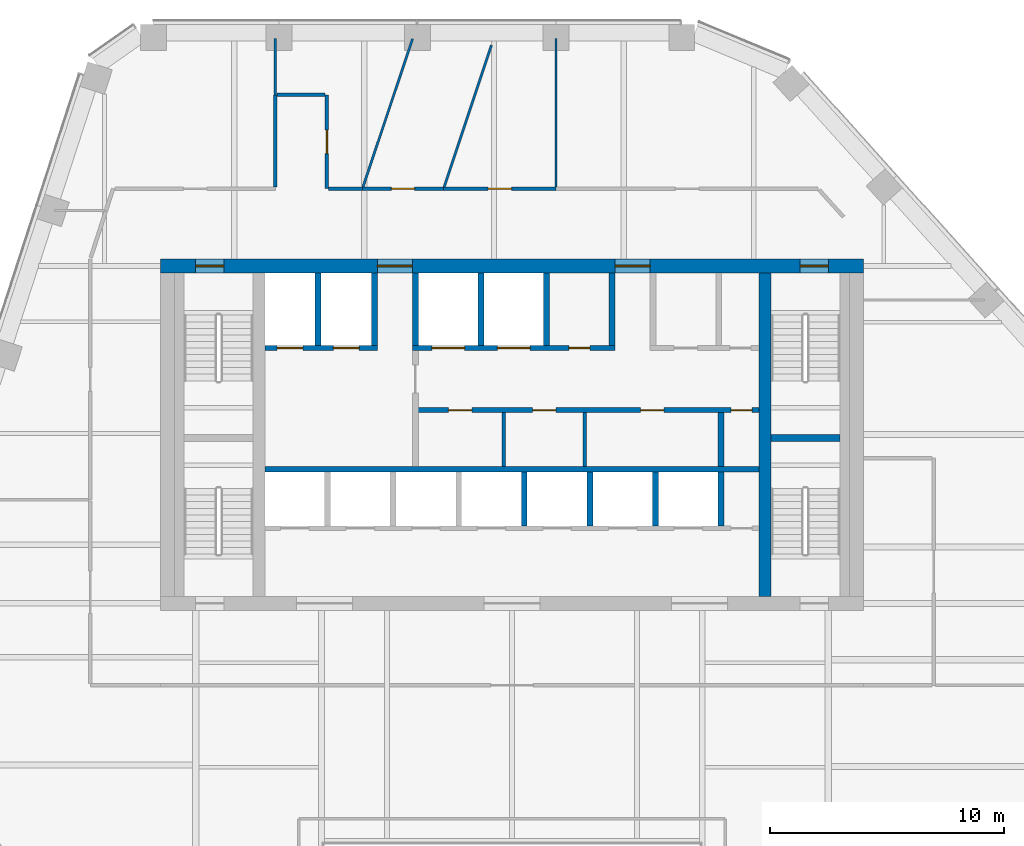
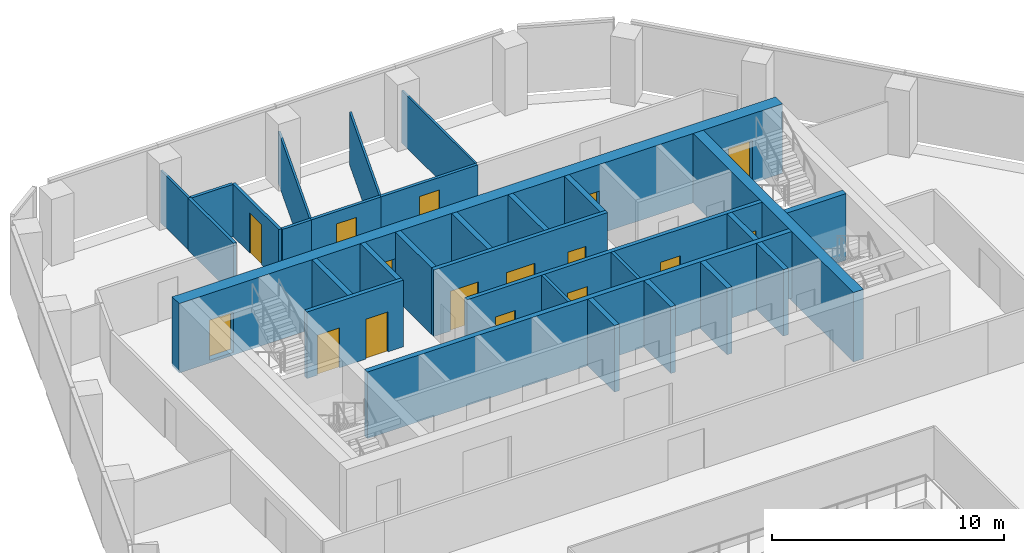
# One storey, part 10 of 15: 30 walls, 16 doors, 16 openings.
"""IFC4 building model written with IfcOpenShell, lengths in metres."""

import ifcopenshell
import ifcopenshell.guid

model = None  # the IFC model being written
_history = None  # IfcOwnerHistory: only IFC2X3 demands one
_inside = {}  # id of a spatial element -> (the spatial element, [elements in it])
_under = {}  # id of a project, library or spatial element -> (it, [spatial elements below it])
_declared = {}  # id of a project -> (the project, [libraries it declares])
_typed = {}  # id of a type object -> (the type object, [elements of that type])
_made_of = {}  # id of a material, layer set ... -> (it, [elements and type objects made of it])


def new_model(schema):
    """Start an empty IFC model of exactly this schema.

    Asked for "IFC4X3", IfcOpenShell would pick the latest addendum, in which some entities
    have other attributes; the version numbers below select the first issue.
    IFC2X3 requires an IfcOwnerHistory on every rooted entity: one is made here for all.
    """
    global model, _history
    if schema == "IFC4X3":
        model = ifcopenshell.file(schema_version=(4, 3, 0, 0))
    else:
        model = ifcopenshell.file(schema=schema)
    _inside.clear()
    _under.clear()
    _declared.clear()
    _typed.clear()
    _made_of.clear()
    _history = None
    if model.schema == "IFC2X3":
        org = make("IfcOrganization", Name="unknown")
        user = make(
            "IfcPersonAndOrganization",
            ThePerson=make("IfcPerson", FamilyName="unknown"),
            TheOrganization=org,
        )
        app = make(
            "IfcApplication",
            ApplicationDeveloper=org,
            Version="unknown",
            ApplicationFullName="unknown",
            ApplicationIdentifier="unknown",
        )
        _history = make(
            "IfcOwnerHistory",
            OwningUser=user,
            OwningApplication=app,
            ChangeAction="ADDED",
            CreationDate=0,
        )
    return model


def make(cls, **values):
    """One entity of the class cls with the attributes given. An attribute that is None is left unset."""
    return model.create_entity(
        cls, **{name: value for name, value in values.items() if value is not None}
    )


def rooted(cls, **values):
    """An entity with a GlobalId (a new one), such as an element, a storey or a relation."""
    return make(cls, GlobalId=ifcopenshell.guid.new(), OwnerHistory=_history, **values)


def si_unit(unit_type, name, prefix=None):
    """IfcSIUnit, for example si_unit("LENGTHUNIT", "METRE", prefix="MILLI")."""
    return make("IfcSIUnit", UnitType=unit_type, Prefix=prefix, Name=name)


def assignment(units):
    """IfcUnitAssignment: the units of a project."""
    return None if units is None else make("IfcUnitAssignment", Units=units)


def point(xyz):
    """IfcCartesianPoint."""
    return None if xyz is None else make("IfcCartesianPoint", Coordinates=xyz)


def direction(xyz):
    """IfcDirection."""
    return None if xyz is None else make("IfcDirection", DirectionRatios=xyz)


def frame(location, z_axis=None, x_axis=None):
    """IfcAxis2Placement3D, a coordinate frame: its origin and axes. An axis left out is left unset."""
    return make(
        "IfcAxis2Placement3D",
        Location=point(location),
        Axis=direction(z_axis),
        RefDirection=direction(x_axis),
    )


def frame_2d(location, x_axis=None):
    """IfcAxis2Placement2D, a coordinate frame in the plane: its origin and x axis."""
    return make(
        "IfcAxis2Placement2D", Location=point(location), RefDirection=direction(x_axis)
    )


def origin():
    """The frame at (0, 0, 0) with its axes left unset."""
    return frame((0.0, 0.0, 0.0))


def place(relative_to, where):
    """IfcLocalPlacement: puts the frame where relative to a parent placement (None: the world)."""
    return make(
        "IfcLocalPlacement", PlacementRelTo=relative_to, RelativePlacement=where
    )


def context(
    kind, dimensions, precision=None, world=None, true_north=None, identifier=None
):
    """IfcGeometricRepresentationContext, for example the 3D "Model" context."""
    return make(
        "IfcGeometricRepresentationContext",
        ContextIdentifier=identifier,
        ContextType=kind,
        CoordinateSpaceDimension=dimensions,
        Precision=precision,
        WorldCoordinateSystem=world,
        TrueNorth=true_north,
    )


def subcontext(parent, identifier, kind, view, scale=None):
    """IfcGeometricRepresentationSubContext, for example "Body" below "Model"."""
    return make(
        "IfcGeometricRepresentationSubContext",
        ContextIdentifier=identifier,
        ContextType=kind,
        ParentContext=parent,
        TargetScale=scale,
        TargetView=view,
    )


def project(units=None, contexts=None):
    """IfcProject with its units and contexts."""
    return rooted(
        "IfcProject",
        Name="project",
        RepresentationContexts=contexts,
        UnitsInContext=assignment(units),
    )


def spatial(cls, under=None, at=None, **own):
    """A site, building, storey or space (cls), placed at a placement, below another one or the project."""
    s = rooted(cls, ObjectPlacement=at, **own)
    if under is not None:
        _under.setdefault(under.id(), (under, []))[1].append(s)
    return s


def profile(cls, at=None, kind="AREA", **sizes):
    """A parametric profile (cls). Its sizes go by their IFC names, for example OverallWidth=200.0."""
    return make(cls, ProfileType=kind, Position=at, **sizes)


def rectangle(**sizes):
    """IfcRectangleProfileDef."""
    return profile("IfcRectangleProfileDef", **sizes)


def extrude(swept, where, along, depth):
    """IfcExtrudedAreaSolid: the profile swept, set in the frame where, extruded along a direction by depth."""
    return make(
        "IfcExtrudedAreaSolid",
        SweptArea=swept,
        Position=where,
        ExtrudedDirection=direction(along),
        Depth=depth,
    )


def shape(context_of_items, identifier, shape_type, items):
    """IfcShapeRepresentation: the items that make up one representation, for example the "Body"."""
    return make(
        "IfcShapeRepresentation",
        ContextOfItems=context_of_items,
        RepresentationIdentifier=identifier,
        RepresentationType=shape_type,
        Items=items,
    )


def material(Name=None, Category=None):
    """IfcMaterial."""
    return make("IfcMaterial", Name=Name, Category=Category)


def layer(
    of_material, thickness, ventilated=None, Name=None, Category=None, Priority=None
):
    """IfcMaterialLayer: one layer of a wall or slab, of a material (None: an air gap)."""
    return make(
        "IfcMaterialLayer",
        Material=of_material,
        LayerThickness=thickness,
        IsVentilated=ventilated,
        Name=Name,
        Category=Category,
        Priority=Priority,
    )


def layer_set(layers, Name=None):
    """IfcMaterialLayerSet."""
    return make("IfcMaterialLayerSet", MaterialLayers=layers, LayerSetName=Name)


def made_of(thing, what):
    """Note that an element or type object is made of a material, layer set ...; save() writes the relation."""
    if what is not None:
        _made_of.setdefault(what.id(), (what, []))[1].append(thing)
    return thing


def type_object(cls, material=None, **own):
    """A type object (cls), such as IfcWallType, which elements share."""
    return made_of(rooted(cls, **own), material)


def element(
    cls,
    number,
    at=None,
    inside=None,
    cuts=None,
    type_object=None,
    material=None,
    context=None,
    identifier="Body",
    shape_type=None,
    held_by="IfcProductDefinitionShape",
    body=None,
    shapes=None,
    **own,
):
    """One element of the class cls, such as IfcWall. Its Tag is "e" and its number.

    at: its placement. inside: the storey or other place that contains it. cuts: it is an
    opening in that element (IfcRelVoidsElement). A single representation is given by context,
    identifier, shape_type and body (its items); several are given by shapes. held_by: the class
    of the entity that holds the representations. save() writes the other relations.
    """
    e = rooted(cls, Tag="e%d" % number, ObjectPlacement=at, **own)
    if body is not None:
        shapes = [shape(context, identifier, shape_type, body)]
    if shapes is not None:
        e.Representation = make(held_by, Representations=shapes)
    if inside is not None:
        _inside.setdefault(inside.id(), (inside, []))[1].append(e)
    if cuts is not None:
        rooted(
            "IfcRelVoidsElement", RelatingBuildingElement=cuts, RelatedOpeningElement=e
        )
    if type_object is not None:
        _typed.setdefault(type_object.id(), (type_object, []))[1].append(e)
    return made_of(e, material)


def fill(opening, filler):
    """IfcRelFillsElement: the door or window that sits in an opening."""
    return rooted(
        "IfcRelFillsElement",
        RelatingOpeningElement=opening,
        RelatedBuildingElement=filler,
    )


def aggregate(whole, parts):
    """IfcRelAggregates: a whole, such as a stair, and the parts it consists of."""
    return rooted("IfcRelAggregates", RelatingObject=whole, RelatedObjects=parts)


def save(model, path):
    """Write the relations noted so far, then the file.

    IfcRelAggregates (storeys below a building ...), IfcRelContainedInSpatialStructure (elements
    in a storey), IfcRelDefinesByType, IfcRelAssociatesMaterial and IfcRelDeclares: one each for
    every whole, place, type object, material and project.
    """
    for whole, parts in _under.values():
        aggregate(whole, parts)
    for where, things in _inside.values():
        rooted(
            "IfcRelContainedInSpatialStructure",
            RelatedElements=things,
            RelatingStructure=where,
        )
    for kind, things in _typed.values():
        rooted("IfcRelDefinesByType", RelatedObjects=things, RelatingType=kind)
    for what, things in _made_of.values():
        rooted("IfcRelAssociatesMaterial", RelatedObjects=things, RelatingMaterial=what)
    for by, libraries in _declared.values():
        rooted("IfcRelDeclares", RelatingContext=by, RelatedDefinitions=libraries)
    model.write(path)


model = new_model("IFC4")

# Units and contexts
model_context = context("Model", 3, precision=1e-05, world=origin(), true_north=direction((0.0, 1.0)))
body_context = subcontext(model_context, "Body", "Model", "MODEL_VIEW")
ifc_project = project(units=[si_unit("LENGTHUNIT", "METRE"), si_unit("AREAUNIT", "SQUARE_METRE"), si_unit("VOLUMEUNIT", "CUBIC_METRE"), si_unit("PLANEANGLEUNIT", "RADIAN"), si_unit("MASSUNIT", "GRAM", prefix="KILO")], contexts=[model_context])

# Site, building, storey
site_placement = place(None, origin())
site = spatial("IfcSite", under=ifc_project, at=site_placement, CompositionType="ELEMENT")
building_placement = place(site_placement, origin())
building = spatial("IfcBuilding", under=site, at=building_placement, Name="Isthmus Gate Tower", CompositionType="ELEMENT")
storey_placement = place(building_placement, frame((0.0, 0.0, 223.60009765625)))
storey = spatial("IfcBuildingStorey", under=building, at=storey_placement, Name="L56", CompositionType="ELEMENT", Elevation=223.60009765625)

# Wall, opening, door
ifc_material_1 = material(Name="Gypsum board on steel studs, fire-rated", Category="steel")
ifc_layer_1 = layer(ifc_material_1, 0.14990234375)
ifc_layer_set_1 = layer_set([ifc_layer_1], Name="CORRIDOR WALL 150 60 MIN")
wall_type_1 = type_object("IfcWallType", Name="CORRIDOR WALL 150 60 MIN", PredefinedType="PARTITIONING", material=ifc_layer_set_1)
wall_1_placement = place(storey_placement, frame((-7.89990234375, 22.0, 0.0), z_axis=(0.0, 0.0, 1.0), x_axis=(0.0, -1.0, 0.0)))
wall_1 = element("IfcWall", 1, at=wall_1_placement, inside=storey, type_object=wall_type_1, Name="L56 Corridor Wall 150 60 Min", PredefinedType="PARTITIONING", context=body_context, shape_type="SweptSolid", body=[
    extrude(rectangle(XDim=4.0, YDim=0.14990234375, at=frame_2d((2.0, 0.0))), origin(), (0.0, 0.0, 1.0), 2.75048828125),
])
opening_1_placement = place(wall_1_placement, frame((1.5, 0.0, 0.0)))
opening_1 = element("IfcOpeningElement", 2, at=opening_1_placement, cuts=wall_1, Name="Opening DT-T5A-09", PredefinedType="OPENING", context=body_context, shape_type="SweptSolid", body=[
    extrude(rectangle(XDim=1.0, YDim=2.10009765625, at=frame_2d((0.5, 1.050048828125))), frame((0.0, 0.0849609375, 0.0), z_axis=(0.0, -1.0, 0.0), x_axis=(1.0, 0.0, 0.0)), (0.0, 0.0, 1.0), 0.169921875),
])
ifc_material_2 = material(Name="Solid core timber door leaf, fire-rated", Category="wood")
door_type_1 = type_object("IfcDoorType", Name="FIRE DOOR ROOM 1000 X 2100 60 MIN", OperationType="SINGLE_SWING_LEFT", PredefinedType="DOOR", material=ifc_material_2)
door_1_placement = place(opening_1_placement, origin())
door_1 = element("IfcDoor", 3, at=door_1_placement, inside=storey, type_object=door_type_1, Name="L56 room door", OperationType="SINGLE_SWING_RIGHT", OverallHeight=2.10009765625, OverallWidth=1.0, PredefinedType="DOOR", context=body_context, shape_type="SweptSolid", body=[
    extrude(rectangle(XDim=1.0, YDim=2.10009765625, at=frame_2d((0.5, 1.050048828125))), frame((0.0, 0.02490234375, 0.0), z_axis=(0.0, -1.0, 0.0), x_axis=(1.0, 0.0, 0.0)), (0.0, 0.0, 1.0), 0.050048828125),
])
fill(opening_1, door_1)

# Wall
wall_2_placement = place(storey_placement, frame((-10.10009765625, 18.074951171875, 0.0), z_axis=(0.0, 0.0, 1.0), x_axis=(0.0, 1.0, 0.0)))
element("IfcWall", 4, at=wall_2_placement, inside=storey, type_object=wall_type_1, Name="L56 Corridor Wall 150 60 Min", PredefinedType="PARTITIONING", context=body_context, shape_type="SweptSolid", body=[
    extrude(rectangle(XDim=3.925048828125, YDim=0.14990234375, at=frame_2d((1.96240234375, 0.0))), origin(), (0.0, 0.0, 1.0), 2.75048828125),
])

# Wall, opening, door
wall_3_placement = place(storey_placement, frame((-2.919921875, 18.0, 0.0), z_axis=(0.0, 0.0, 1.0), x_axis=(1.0, 0.0, 0.0)))
wall_3 = element("IfcWall", 5, at=wall_3_placement, inside=storey, type_object=wall_type_1, Name="L56 Corridor Wall 150 60 Min", PredefinedType="PARTITIONING", context=body_context, shape_type="SweptSolid", body=[
    extrude(rectangle(XDim=4.801025390625, YDim=0.14990234375, at=frame_2d((2.400390625, 0.0))), origin(), (0.0, 0.0, 1.0), 2.75048828125),
])
opening_2_placement = place(wall_3_placement, frame((1.900390625, 0.0, 0.0)))
opening_2 = element("IfcOpeningElement", 6, at=opening_2_placement, cuts=wall_3, Name="Opening DT-T5A-07", PredefinedType="OPENING", context=body_context, shape_type="SweptSolid", body=[
    extrude(rectangle(XDim=1.0, YDim=2.10009765625, at=frame_2d((0.5, 1.050048828125))), frame((0.0, 0.0849609375, 0.0), z_axis=(0.0, -1.0, 0.0), x_axis=(1.0, 0.0, 0.0)), (0.0, 0.0, 1.0), 0.169921875),
])
door_2_placement = place(opening_2_placement, origin())
door_2 = element("IfcDoor", 7, at=door_2_placement, inside=storey, type_object=door_type_1, Name="L56 room door", OperationType="SINGLE_SWING_RIGHT", OverallHeight=2.10009765625, OverallWidth=1.0, PredefinedType="DOOR", context=body_context, shape_type="SweptSolid", body=[
    extrude(rectangle(XDim=1.0, YDim=2.10009765625, at=frame_2d((0.5, 1.050048828125))), frame((0.0, 0.02490234375, 0.0), z_axis=(0.0, -1.0, 0.0), x_axis=(1.0, 0.0, 0.0)), (0.0, 0.0, 1.0), 0.050048828125),
])
fill(opening_2, door_2)

wall_4_placement = place(storey_placement, frame((-6.382080078125, 18.0, 0.0), z_axis=(0.0, 0.0, 1.0), x_axis=(1.0, 0.0, 0.0)))
wall_4 = element("IfcWall", 8, at=wall_4_placement, inside=storey, type_object=wall_type_1, Name="L56 Corridor Wall 150 60 Min", PredefinedType="PARTITIONING", context=body_context, shape_type="SweptSolid", body=[
    extrude(rectangle(XDim=3.462158203125, YDim=0.14990234375, at=frame_2d((1.73095703125, 0.0))), origin(), (0.0, 0.0, 1.0), 2.75048828125),
])
opening_3_placement = place(wall_4_placement, frame((1.23095703125, 0.0, 0.0)))
opening_3 = element("IfcOpeningElement", 9, at=opening_3_placement, cuts=wall_4, Name="Opening DT-T5A-08", PredefinedType="OPENING", context=body_context, shape_type="SweptSolid", body=[
    extrude(rectangle(XDim=1.0, YDim=2.10009765625, at=frame_2d((0.5, 1.050048828125))), frame((0.0, 0.0849609375, 0.0), z_axis=(0.0, -1.0, 0.0), x_axis=(1.0, 0.0, 0.0)), (0.0, 0.0, 1.0), 0.169921875),
])
door_3_placement = place(opening_3_placement, origin())
door_3 = element("IfcDoor", 10, at=door_3_placement, inside=storey, type_object=door_type_1, Name="L56 room door", OperationType="SINGLE_SWING_RIGHT", OverallHeight=2.10009765625, OverallWidth=1.0, PredefinedType="DOOR", context=body_context, shape_type="SweptSolid", body=[
    extrude(rectangle(XDim=1.0, YDim=2.10009765625, at=frame_2d((0.5, 1.050048828125))), frame((0.0, 0.02490234375, 0.0), z_axis=(0.0, -1.0, 0.0), x_axis=(1.0, 0.0, 0.0)), (0.0, 0.0, 1.0), 0.050048828125),
])
fill(opening_3, door_3)

# Walls
wall_5_placement = place(storey_placement, frame((-10.02490234375, 22.0, 0.0), z_axis=(0.0, 0.0, 1.0), x_axis=(1.0, 0.0, 0.0)))
element("IfcWall", 11, at=wall_5_placement, inside=storey, type_object=wall_type_1, Name="L56 Corridor Wall 150 60 Min", PredefinedType="PARTITIONING", context=body_context, shape_type="SweptSolid", body=[
    extrude(rectangle(XDim=2.0498046875, YDim=0.14990234375, at=frame_2d((1.02490234375, 0.0))), origin(), (0.0, 0.0, 1.0), 2.75048828125),
])
wall_6_placement = place(storey_placement, frame((-7.824951171875, 18.0, 0.0), z_axis=(0.0, 0.0, 1.0), x_axis=(1.0, 0.0, 0.0)))
element("IfcWall", 12, at=wall_6_placement, inside=storey, type_object=wall_type_1, Name="L56 Corridor Wall 150 60 Min", PredefinedType="PARTITIONING", context=body_context, shape_type="SweptSolid", body=[
    extrude(rectangle(XDim=1.44287109375, YDim=0.14990234375, at=frame_2d((0.721435546875, 0.0))), origin(), (0.0, 0.0, 1.0), 2.75048828125),
])
ifc_material_3 = material(Name="Concrete f'c 50 MPa", Category="concrete")
ifc_layer_2 = layer(ifc_material_3, 0.5)
ifc_layer_set_2 = layer_set([ifc_layer_2], Name="RC CORE SPINE WALL 500 F'C 50")
wall_type_2 = type_object("IfcWallType", Name="RC CORE SPINE WALL 500 F'C 50", PredefinedType="SOLIDWALL", material=ifc_layer_set_2)
wall_7_placement = place(storey_placement, frame((10.800048828125, 0.60009765625, -0.150146484375), z_axis=(0.0, 0.0, 1.0), x_axis=(0.0, 1.0, 0.0)))
element("IfcWall", 13, at=wall_7_placement, inside=storey, type_object=wall_type_2, Name="str-corewall-L56-SPE", PredefinedType="SOLIDWALL", context=body_context, shape_type="SweptSolid", body=[
    extrude(rectangle(XDim=13.7998046875, YDim=0.5, at=frame_2d((6.89990234375, 0.0))), origin(), (0.0, 0.0, 1.0), 3.650146484375),
])

# Wall, openings, doors
ifc_material_4 = material(Name="Concrete f'c 50 MPa", Category="concrete")
ifc_layer_3 = layer(ifc_material_4, 0.60009765625)
ifc_layer_set_3 = layer_set([ifc_layer_3], Name="RC CORE WALL 600 F'C 50")
wall_type_3 = type_object("IfcWallType", Name="RC CORE WALL 600 F'C 50", PredefinedType="SOLIDWALL", material=ifc_layer_set_3)
wall_8_placement = place(storey_placement, frame((-15.0, 14.699951171875, -0.150146484375), z_axis=(0.0, 0.0, 1.0), x_axis=(1.0, 0.0, 0.0)))
wall_8 = element("IfcWall", 14, at=wall_8_placement, inside=storey, type_object=wall_type_3, Name="str-corewall-L56-N", PredefinedType="SOLIDWALL", context=body_context, shape_type="SweptSolid", body=[
    extrude(rectangle(XDim=30.0, YDim=0.60009765625, at=frame_2d((15.0, 0.0))), origin(), (0.0, 0.0, 1.0), 3.650146484375),
])
opening_4_placement = place(wall_8_placement, frame((9.25, 0.0, 0.14990234375)))
opening_4 = element("IfcOpeningElement", 15, at=opening_4_placement, cuts=wall_8, Name="Opening DC-A18-13", PredefinedType="OPENING", context=body_context, shape_type="SweptSolid", body=[
    extrude(rectangle(XDim=1.5, YDim=2.10009765625, at=frame_2d((0.75, 1.050048828125))), frame((0.0, 0.31005859375, 0.0), z_axis=(0.0, -1.0, 0.0), x_axis=(1.0, 0.0, 0.0)), (0.0, 0.0, 1.0), 0.6201171875),
])
opening_5_placement = place(wall_8_placement, frame((19.39990234375, 0.0, 0.14990234375)))
opening_5 = element("IfcOpeningElement", 16, at=opening_5_placement, cuts=wall_8, Name="Opening DC-A18-14", PredefinedType="OPENING", context=body_context, shape_type="SweptSolid", body=[
    extrude(rectangle(XDim=1.5, YDim=2.10009765625, at=frame_2d((0.75, 1.050048828125))), frame((0.0, 0.31005859375, 0.0), z_axis=(0.0, -1.0, 0.0), x_axis=(1.0, 0.0, 0.0)), (0.0, 0.0, 1.0), 0.6201171875),
])
opening_6_placement = place(wall_8_placement, frame((1.5, 0.0, 0.14990234375)))
opening_6 = element("IfcOpeningElement", 17, at=opening_6_placement, cuts=wall_8, Name="Opening DC-A18-15", PredefinedType="OPENING", context=body_context, shape_type="SweptSolid", body=[
    extrude(rectangle(XDim=1.199951171875, YDim=2.10009765625, at=frame_2d((0.60009765625, 1.050048828125))), frame((0.0, 0.31005859375, 0.0), z_axis=(0.0, -1.0, 0.0), x_axis=(1.0, 0.0, 0.0)), (0.0, 0.0, 1.0), 0.6201171875),
])
opening_7_placement = place(wall_8_placement, frame((27.300048828125, 0.0, 0.14990234375)))
opening_7 = element("IfcOpeningElement", 18, at=opening_7_placement, cuts=wall_8, Name="Opening DC-A18-16", PredefinedType="OPENING", context=body_context, shape_type="SweptSolid", body=[
    extrude(rectangle(XDim=1.199951171875, YDim=2.10009765625, at=frame_2d((0.60009765625, 1.050048828125))), frame((0.0, 0.31005859375, 0.0), z_axis=(0.0, -1.0, 0.0), x_axis=(1.0, 0.0, 0.0)), (0.0, 0.0, 1.0), 0.6201171875),
])
ifc_material_5 = material(Name="Steel door leaf, fire-rated", Category="steel")
door_type_2 = type_object("IfcDoorType", Name="LOBBY FIRE DOOR 1500 X 2100 60 MIN", OperationType="DOUBLE_DOOR_SINGLE_SWING", PredefinedType="DOOR", material=ifc_material_5)
door_4_placement = place(opening_5_placement, origin())
door_4 = element("IfcDoor", 19, at=door_4_placement, inside=storey, type_object=door_type_2, Name="Lobby Door PN-E", OperationType="DOUBLE_DOOR_SINGLE_SWING", OverallHeight=2.10009765625, OverallWidth=1.5, PredefinedType="DOOR", context=body_context, shape_type="SweptSolid", body=[
    extrude(rectangle(XDim=1.5, YDim=2.10009765625, at=frame_2d((0.75, 1.050048828125))), frame((0.0, 0.02490234375, 0.0), z_axis=(0.0, -1.0, 0.0), x_axis=(1.0, 0.0, 0.0)), (0.0, 0.0, 1.0), 0.050048828125),
])
fill(opening_5, door_4)
ifc_material_6 = material(Name="Steel door leaf, fire-rated", Category="steel")
door_type_3 = type_object("IfcDoorType", Name="LOBBY FIRE DOOR 1500 X 2100 90 MIN", OperationType="DOUBLE_DOOR_SINGLE_SWING", PredefinedType="DOOR", material=ifc_material_6)
door_5_placement = place(opening_4_placement, origin())
door_5 = element("IfcDoor", 20, at=door_5_placement, inside=storey, type_object=door_type_3, Name="Lobby Door PN-W", OperationType="DOUBLE_DOOR_SINGLE_SWING", OverallHeight=2.10009765625, OverallWidth=1.5, PredefinedType="DOOR", context=body_context, shape_type="SweptSolid", body=[
    extrude(rectangle(XDim=1.5, YDim=2.10009765625, at=frame_2d((0.75, 1.050048828125))), frame((0.0, 0.02490234375, 0.0), z_axis=(0.0, -1.0, 0.0), x_axis=(1.0, 0.0, 0.0)), (0.0, 0.0, 1.0), 0.050048828125),
])
fill(opening_4, door_5)
ifc_material_7 = material(Name="Steel door leaf, fire-rated", Category="steel")
door_type_4 = type_object("IfcDoorType", Name="STAIR FIRE DOOR 1200 X 2100 90 MIN", OperationType="SINGLE_SWING_LEFT", PredefinedType="DOOR", material=ifc_material_7)
door_6_placement = place(opening_6_placement, origin())
door_6 = element("IfcDoor", 21, at=door_6_placement, inside=storey, type_object=door_type_4, Name="Exit Stair 1 Door", OperationType="SINGLE_SWING_RIGHT", OverallHeight=2.10009765625, OverallWidth=1.199951171875, PredefinedType="DOOR", context=body_context, shape_type="SweptSolid", body=[
    extrude(rectangle(XDim=1.199951171875, YDim=2.10009765625, at=frame_2d((0.60009765625, 1.050048828125))), frame((0.0, 0.02490234375, 0.0), z_axis=(0.0, -1.0, 0.0), x_axis=(1.0, 0.0, 0.0)), (0.0, 0.0, 1.0), 0.050048828125),
])
fill(opening_6, door_6)
door_7_placement = place(opening_7_placement, origin())
door_7 = element("IfcDoor", 22, at=door_7_placement, inside=storey, type_object=door_type_4, Name="Exit Stair 2 Door", OperationType="SINGLE_SWING_LEFT", OverallHeight=2.10009765625, OverallWidth=1.199951171875, PredefinedType="DOOR", context=body_context, shape_type="SweptSolid", body=[
    extrude(rectangle(XDim=1.199951171875, YDim=2.10009765625, at=frame_2d((0.60009765625, 1.050048828125))), frame((0.0, 0.02490234375, 0.0), z_axis=(0.0, -1.0, 0.0), x_axis=(1.0, 0.0, 0.0)), (0.0, 0.0, 1.0), 0.050048828125),
])
fill(opening_7, door_7)

# Walls
ifc_material_8 = material(Name="Gypsum board on steel studs, fire-rated", Category="steel")
ifc_layer_4 = layer(ifc_material_8, 0.10009765625)
ifc_layer_set_4 = layer_set([ifc_layer_4], Name="ROOM PARTITION 100 30 MIN")
wall_type_4 = type_object("IfcWallType", Name="ROOM PARTITION 100 30 MIN", PredefinedType="PARTITIONING", material=ifc_layer_set_4)
wall_9_placement = place(storey_placement, frame((-10.10205078125, 22.0, 0.0), z_axis=(0.0, 0.0, 1.0), x_axis=(0.0, 1.0, 0.0)))
element("IfcWall", 23, at=wall_9_placement, inside=storey, type_object=wall_type_4, Name="L56 Room Partition 100 30 Min", PredefinedType="PARTITIONING", context=body_context, shape_type="SweptSolid", body=[
    extrude(rectangle(XDim=2.39990234375, YDim=0.10009765625, at=frame_2d((1.199951171875, 0.0))), origin(), (0.0, 0.0, 1.0), 2.75048828125),
])
wall_10_placement = place(storey_placement, frame((1.881103515625, 18.074951171875, 0.0), z_axis=(0.0, 0.0, 1.0), x_axis=(0.0, 1.0, 0.0)))
element("IfcWall", 24, at=wall_10_placement, inside=storey, type_object=wall_type_4, Name="L56 Room Partition 100 30 Min", PredefinedType="PARTITIONING", context=body_context, shape_type="SweptSolid", body=[
    extrude(rectangle(XDim=6.324951171875, YDim=0.10009765625, at=frame_2d((3.16259765625, 0.0))), origin(), (0.0, 0.0, 1.0), 2.75048828125),
])
wall_11_placement = place(storey_placement, frame((-2.896240234375, 18.071044921875, 0.0), z_axis=(0.0, 0.0, 1.0), x_axis=(0.316721942661, 0.948518429466, 0.0)))
element("IfcWall", 25, at=wall_11_placement, inside=storey, type_object=wall_type_4, Name="L56 Room Partition 100 30 Min", PredefinedType="PARTITIONING", context=body_context, shape_type="SweptSolid", body=[
    extrude(rectangle(XDim=6.37255859375, YDim=0.10009765625, at=frame_2d((3.186279296875, 0.0))), origin(), (0.0, 0.0, 1.0), 2.75048828125),
])
wall_12_placement = place(storey_placement, frame((-6.358154296875, 18.071044921875, 0.0), z_axis=(0.0, 0.0, 1.0), x_axis=(0.316688766046, 0.9485295069, 0.0)))
element("IfcWall", 26, at=wall_12_placement, inside=storey, type_object=wall_type_4, Name="L56 Room Partition 100 30 Min", PredefinedType="PARTITIONING", context=body_context, shape_type="SweptSolid", body=[
    extrude(rectangle(XDim=6.67236328125, YDim=0.10009765625, at=frame_2d((3.336181640625, 0.0))), origin(), (0.0, 0.0, 1.0), 2.75048828125),
])
ifc_material_9 = material(Name="Gypsum board on steel studs, fire-rated", Category="steel")
ifc_layer_5 = layer(ifc_material_9, 0.14990234375)
ifc_layer_set_5 = layer_set([ifc_layer_5], Name="ROOM PARTITION 150 60 MIN")
wall_type_5 = type_object("IfcWallType", Name="ROOM PARTITION 150 60 MIN", PredefinedType="PARTITIONING", material=ifc_layer_set_5)
for number, where, z_axis, x_axis, name in (
    (27, (-0.35009765625, 6.14990234375, 0.0), (0.0, 0.0, 1.0), (0.0, 1.0, 0.0), "L56 ROOM PARTITION 150 60 MIN"),
    (28, (3.10009765625, 6.14990234375, 0.0), (0.0, 0.0, 1.0), (0.0, 1.0, 0.0), "L56 ROOM PARTITION 150 60 MIN"),
):
    element("IfcWall", number, at=place(storey_placement, frame(where, z_axis=z_axis, x_axis=x_axis)), inside=storey, type_object=wall_type_5, Name=name, PredefinedType="PARTITIONING", context=body_context, shape_type="SweptSolid", body=[
        extrude(rectangle(XDim=2.300048828125, YDim=0.14990234375, at=frame_2d((1.14990234375, 0.0))), origin(), (0.0, 0.0, 1.0), 3.5),
    ])

# Wall, openings, doors
ifc_material_10 = material(Name="Fire-rated blockwork masonry, 15 MPa", Category="masonry")
ifc_layer_6 = layer(ifc_material_10, 0.199951171875)
ifc_layer_set_6 = layer_set([ifc_layer_6], Name="SHAFT FRONT WALL 200 120 MIN")
wall_type_6 = type_object("IfcWallType", Name="SHAFT FRONT WALL 200 120 MIN", PredefinedType="PARTITIONING", material=ifc_layer_set_6)
wall_13_placement = place(storey_placement, frame((-4.125, 8.550048828125, 0.0), z_axis=(0.0, 0.0, 1.0), x_axis=(1.0, 0.0, 0.0)))
wall_13 = element("IfcWall", 29, at=wall_13_placement, inside=storey, type_object=wall_type_6, Name="L56 SHAFT FRONT WALL 200 120 MIN", PredefinedType="PARTITIONING", context=body_context, shape_type="SweptSolid", body=[
    extrude(rectangle(XDim=14.675048828125, YDim=0.199951171875, at=frame_2d((7.33740234375, 0.0))), origin(), (0.0, 0.0, 1.0), 3.5),
])
opening_8_placement = place(wall_13_placement, frame((1.41259765625, 0.0, 0.0)))
opening_8 = element("IfcOpeningElement", 30, at=opening_8_placement, cuts=wall_13, Name="Opening DC-A18-03", PredefinedType="OPENING", context=body_context, shape_type="SweptSolid", body=[
    extrude(rectangle(XDim=1.0, YDim=2.10009765625, at=frame_2d((0.5, 1.050048828125))), frame((0.0, 0.10986328125, 0.0), z_axis=(0.0, -1.0, 0.0), x_axis=(1.0, 0.0, 0.0)), (0.0, 0.0, 1.0), 0.219970703125),
])
opening_9_placement = place(wall_13_placement, frame((5.0, 0.0, 0.0)))
opening_9 = element("IfcOpeningElement", 31, at=opening_9_placement, cuts=wall_13, Name="Opening DC-A18-04", PredefinedType="OPENING", context=body_context, shape_type="SweptSolid", body=[
    extrude(rectangle(XDim=1.0, YDim=2.10009765625, at=frame_2d((0.5, 1.050048828125))), frame((0.0, 0.10986328125, 0.0), z_axis=(0.0, -1.0, 0.0), x_axis=(1.0, 0.0, 0.0)), (0.0, 0.0, 1.0), 0.219970703125),
])
opening_10_placement = place(wall_13_placement, frame((9.612548828125, 0.0, 0.0)))
opening_10 = element("IfcOpeningElement", 32, at=opening_10_placement, cuts=wall_13, Name="Opening DC-A18-05", PredefinedType="OPENING", context=body_context, shape_type="SweptSolid", body=[
    extrude(rectangle(XDim=1.0, YDim=2.10009765625, at=frame_2d((0.5, 1.050048828125))), frame((0.0, 0.10986328125, 0.0), z_axis=(0.0, -1.0, 0.0), x_axis=(1.0, 0.0, 0.0)), (0.0, 0.0, 1.0), 0.219970703125),
])
opening_11_placement = place(wall_13_placement, frame((13.47509765625, 0.0, 0.0)))
opening_11 = element("IfcOpeningElement", 33, at=opening_11_placement, cuts=wall_13, Name="Opening DC-A18-06", PredefinedType="OPENING", context=body_context, shape_type="SweptSolid", body=[
    extrude(rectangle(XDim=0.89990234375, YDim=2.10009765625, at=frame_2d((0.449951171875, 1.050048828125))), frame((0.0, 0.10986328125, 0.0), z_axis=(0.0, -1.0, 0.0), x_axis=(1.0, 0.0, 0.0)), (0.0, 0.0, 1.0), 0.219970703125),
])
ifc_material_11 = material(Name="Steel door leaf, fire-rated", Category="steel")
door_type_5 = type_object("IfcDoorType", Name="FIRE DOOR 1000 X 2100 60 MIN", OperationType="SINGLE_SWING_LEFT", PredefinedType="DOOR", material=ifc_material_11)
door_8_placement = place(opening_8_placement, origin())
door_8 = element("IfcDoor", 34, at=door_8_placement, inside=storey, type_object=door_type_5, Name="WC Women Door", OperationType="SINGLE_SWING_LEFT", OverallHeight=2.10009765625, OverallWidth=1.0, PredefinedType="DOOR", context=body_context, shape_type="SweptSolid", body=[
    extrude(rectangle(XDim=1.0, YDim=2.10009765625, at=frame_2d((0.5, 1.050048828125))), frame((0.0, 0.02490234375, 0.0), z_axis=(0.0, -1.0, 0.0), x_axis=(1.0, 0.0, 0.0)), (0.0, 0.0, 1.0), 0.050048828125),
])
fill(opening_8, door_8)
door_9_placement = place(opening_9_placement, origin())
door_9 = element("IfcDoor", 35, at=door_9_placement, inside=storey, type_object=door_type_5, Name="WC Men Door", OperationType="SINGLE_SWING_RIGHT", OverallHeight=2.10009765625, OverallWidth=1.0, PredefinedType="DOOR", context=body_context, shape_type="SweptSolid", body=[
    extrude(rectangle(XDim=1.0, YDim=2.10009765625, at=frame_2d((0.5, 1.050048828125))), frame((0.0, 0.02490234375, 0.0), z_axis=(0.0, -1.0, 0.0), x_axis=(1.0, 0.0, 0.0)), (0.0, 0.0, 1.0), 0.050048828125),
])
fill(opening_9, door_9)
door_10_placement = place(opening_10_placement, origin())
door_10 = element("IfcDoor", 36, at=door_10_placement, inside=storey, type_object=door_type_5, Name="Accessible WC Door", OperationType="SINGLE_SWING_LEFT", OverallHeight=2.10009765625, OverallWidth=1.0, PredefinedType="DOOR", context=body_context, shape_type="SweptSolid", body=[
    extrude(rectangle(XDim=1.0, YDim=2.10009765625, at=frame_2d((0.5, 1.050048828125))), frame((0.0, 0.02490234375, 0.0), z_axis=(0.0, -1.0, 0.0), x_axis=(1.0, 0.0, 0.0)), (0.0, 0.0, 1.0), 0.050048828125),
])
fill(opening_10, door_10)
ifc_material_12 = material(Name="Steel door leaf, fire-rated", Category="steel")
door_type_6 = type_object("IfcDoorType", Name="RISER FIRE DOOR 900 X 2100 90 MIN", OperationType="SINGLE_SWING_LEFT", PredefinedType="DOOR", material=ifc_material_12)
door_11_placement = place(opening_11_placement, origin())
door_11 = element("IfcDoor", 37, at=door_11_placement, inside=storey, type_object=door_type_6, Name="Riser Door", OperationType="SINGLE_SWING_RIGHT", OverallHeight=2.10009765625, OverallWidth=0.89990234375, PredefinedType="DOOR", context=body_context, shape_type="SweptSolid", body=[
    extrude(rectangle(XDim=0.89990234375, YDim=2.10009765625, at=frame_2d((0.449951171875, 1.050048828125))), frame((0.0, 0.02490234375, 0.0), z_axis=(0.0, -1.0, 0.0), x_axis=(1.0, 0.0, 0.0)), (0.0, 0.0, 1.0), 0.050048828125),
])
fill(opening_11, door_11)

wall_14_placement = place(storey_placement, frame((-10.550048828125, 11.199951171875, 0.0), z_axis=(0.0, 0.0, 1.0), x_axis=(1.0, 0.0, 0.0)))
wall_14 = element("IfcWall", 38, at=wall_14_placement, inside=storey, type_object=wall_type_6, Name="L56 SHAFT FRONT WALL 200 120 MIN", PredefinedType="PARTITIONING", context=body_context, shape_type="SweptSolid", body=[
    extrude(rectangle(XDim=4.800048828125, YDim=0.199951171875, at=frame_2d((2.39990234375, 0.0))), origin(), (0.0, 0.0, 1.0), 3.5),
])
opening_12_placement = place(wall_14_placement, frame((0.52490234375, 0.0, 0.0)))
opening_12 = element("IfcOpeningElement", 39, at=opening_12_placement, cuts=wall_14, Name="Opening LD-LF1", PredefinedType="OPENING", context=body_context, shape_type="SweptSolid", body=[
    extrude(rectangle(XDim=1.10009765625, YDim=2.10009765625, at=frame_2d((0.550048828125, 1.050048828125))), frame((0.0, 0.10986328125, 0.0), z_axis=(0.0, -1.0, 0.0), x_axis=(1.0, 0.0, 0.0)), (0.0, 0.0, 1.0), 0.219970703125),
])
opening_13_placement = place(wall_14_placement, frame((2.925048828125, 0.0, 0.0)))
opening_13 = element("IfcOpeningElement", 40, at=opening_13_placement, cuts=wall_14, Name="Opening LD-LF2", PredefinedType="OPENING", context=body_context, shape_type="SweptSolid", body=[
    extrude(rectangle(XDim=1.10009765625, YDim=2.10009765625, at=frame_2d((0.550048828125, 1.050048828125))), frame((0.0, 0.10986328125, 0.0), z_axis=(0.0, -1.0, 0.0), x_axis=(1.0, 0.0, 0.0)), (0.0, 0.0, 1.0), 0.219970703125),
])
ifc_material_13 = material(Name="Stainless steel sliding leaf", Category="steel")
door_type_7 = type_object("IfcDoorType", Name="LIFT LANDING FIRE DOOR 1100 X 2100 90 MIN", OperationType="DOUBLE_DOOR_SLIDING", PredefinedType="DOOR", material=ifc_material_13)
door_12_placement = place(opening_12_placement, origin())
door_12 = element("IfcDoor", 41, at=door_12_placement, inside=storey, type_object=door_type_7, Name="Lift Landing Door LF1", OperationType="DOUBLE_DOOR_SLIDING", OverallHeight=2.10009765625, OverallWidth=1.10009765625, PredefinedType="DOOR", context=body_context, shape_type="SweptSolid", body=[
    extrude(rectangle(XDim=1.10009765625, YDim=2.10009765625, at=frame_2d((0.550048828125, 1.050048828125))), frame((0.0, 0.02490234375, 0.0), z_axis=(0.0, -1.0, 0.0), x_axis=(1.0, 0.0, 0.0)), (0.0, 0.0, 1.0), 0.050048828125),
])
fill(opening_12, door_12)
door_13_placement = place(opening_13_placement, origin())
door_13 = element("IfcDoor", 42, at=door_13_placement, inside=storey, type_object=door_type_7, Name="Lift Landing Door LF2", OperationType="DOUBLE_DOOR_SLIDING", OverallHeight=2.10009765625, OverallWidth=1.10009765625, PredefinedType="DOOR", context=body_context, shape_type="SweptSolid", body=[
    extrude(rectangle(XDim=1.10009765625, YDim=2.10009765625, at=frame_2d((0.550048828125, 1.050048828125))), frame((0.0, 0.02490234375, 0.0), z_axis=(0.0, -1.0, 0.0), x_axis=(1.0, 0.0, 0.0)), (0.0, 0.0, 1.0), 0.050048828125),
])
fill(opening_13, door_13)

wall_15_placement = place(storey_placement, frame((-4.25, 11.199951171875, 0.0), z_axis=(0.0, 0.0, 1.0), x_axis=(1.0, 0.0, 0.0)))
wall_15 = element("IfcWall", 43, at=wall_15_placement, inside=storey, type_object=wall_type_6, Name="L56 SHAFT FRONT WALL 200 120 MIN", PredefinedType="PARTITIONING", context=body_context, shape_type="SweptSolid", body=[
    extrude(rectangle(XDim=8.64990234375, YDim=0.199951171875, at=frame_2d((4.324951171875, 0.0))), origin(), (0.0, 0.0, 1.0), 3.5),
])
opening_14_placement = place(wall_15_placement, frame((0.824951171875, 0.0, 0.0)))
opening_14 = element("IfcOpeningElement", 44, at=opening_14_placement, cuts=wall_15, Name="Opening LD-LV1", PredefinedType="OPENING", context=body_context, shape_type="SweptSolid", body=[
    extrude(rectangle(XDim=1.39990234375, YDim=2.10009765625, at=frame_2d((0.699951171875, 1.050048828125))), frame((0.0, 0.10986328125, 0.0), z_axis=(0.0, -1.0, 0.0), x_axis=(1.0, 0.0, 0.0)), (0.0, 0.0, 1.0), 0.219970703125),
])
opening_15_placement = place(wall_15_placement, frame((3.625, 0.0, 0.0)))
opening_15 = element("IfcOpeningElement", 45, at=opening_15_placement, cuts=wall_15, Name="Opening LD-LV2", PredefinedType="OPENING", context=body_context, shape_type="SweptSolid", body=[
    extrude(rectangle(XDim=1.39990234375, YDim=2.10009765625, at=frame_2d((0.699951171875, 1.050048828125))), frame((0.0, 0.10986328125, 0.0), z_axis=(0.0, -1.0, 0.0), x_axis=(1.0, 0.0, 0.0)), (0.0, 0.0, 1.0), 0.219970703125),
])
opening_16_placement = place(wall_15_placement, frame((6.675048828125, 0.0, 0.0)))
opening_16 = element("IfcOpeningElement", 46, at=opening_16_placement, cuts=wall_15, Name="Opening DC-A18-07", PredefinedType="OPENING", context=body_context, shape_type="SweptSolid", body=[
    extrude(rectangle(XDim=0.89990234375, YDim=2.10009765625, at=frame_2d((0.449951171875, 1.050048828125))), frame((0.0, 0.10986328125, 0.0), z_axis=(0.0, -1.0, 0.0), x_axis=(1.0, 0.0, 0.0)), (0.0, 0.0, 1.0), 0.219970703125),
])
ifc_material_14 = material(Name="Steel door leaf, fire-rated", Category="steel")
door_type_8 = type_object("IfcDoorType", Name="FIRE DOOR 900 X 2100 60 MIN", OperationType="SINGLE_SWING_LEFT", PredefinedType="DOOR", material=ifc_material_14)
door_14_placement = place(opening_16_placement, origin())
door_14 = element("IfcDoor", 47, at=door_14_placement, inside=storey, type_object=door_type_8, Name="Cleaner Store Door", OperationType="SINGLE_SWING_LEFT", OverallHeight=2.10009765625, OverallWidth=0.89990234375, PredefinedType="DOOR", context=body_context, shape_type="SweptSolid", body=[
    extrude(rectangle(XDim=0.89990234375, YDim=2.10009765625, at=frame_2d((0.449951171875, 1.050048828125))), frame((0.0, 0.02490234375, 0.0), z_axis=(0.0, -1.0, 0.0), x_axis=(1.0, 0.0, 0.0)), (0.0, 0.0, 1.0), 0.050048828125),
])
fill(opening_16, door_14)
ifc_material_15 = material(Name="Stainless steel sliding leaf", Category="steel")
door_type_9 = type_object("IfcDoorType", Name="LIFT LANDING FIRE DOOR 1400 X 2100 90 MIN", OperationType="DOUBLE_DOOR_SLIDING", PredefinedType="DOOR", material=ifc_material_15)
door_15_placement = place(opening_14_placement, origin())
door_15 = element("IfcDoor", 48, at=door_15_placement, inside=storey, type_object=door_type_9, Name="Lift Landing Door LV1", OperationType="DOUBLE_DOOR_SLIDING", OverallHeight=2.10009765625, OverallWidth=1.39990234375, PredefinedType="DOOR", context=body_context, shape_type="SweptSolid", body=[
    extrude(rectangle(XDim=1.39990234375, YDim=2.10009765625, at=frame_2d((0.699951171875, 1.050048828125))), frame((0.0, 0.02490234375, 0.0), z_axis=(0.0, -1.0, 0.0), x_axis=(1.0, 0.0, 0.0)), (0.0, 0.0, 1.0), 0.050048828125),
])
fill(opening_14, door_15)
door_16_placement = place(opening_15_placement, origin())
door_16 = element("IfcDoor", 49, at=door_16_placement, inside=storey, type_object=door_type_9, Name="Lift Landing Door LV2", OperationType="DOUBLE_DOOR_SLIDING", OverallHeight=2.10009765625, OverallWidth=1.39990234375, PredefinedType="DOOR", context=body_context, shape_type="SweptSolid", body=[
    extrude(rectangle(XDim=1.39990234375, YDim=2.10009765625, at=frame_2d((0.699951171875, 1.050048828125))), frame((0.0, 0.02490234375, 0.0), z_axis=(0.0, -1.0, 0.0), x_axis=(1.0, 0.0, 0.0)), (0.0, 0.0, 1.0), 0.050048828125),
])
fill(opening_15, door_16)

# Walls
ifc_material_16 = material(Name="Fire-rated blockwork masonry, 15 MPa", Category="masonry")
ifc_layer_7 = layer(ifc_material_16, 0.25)
ifc_layer_set_7 = layer_set([ifc_layer_7], Name="SHAFT WALL 250 120 MIN")
wall_type_7 = type_object("IfcWallType", Name="SHAFT WALL 250 120 MIN", PredefinedType="PARTITIONING", material=ifc_layer_set_7)
wall_16_placement = place(storey_placement, frame((-10.550048828125, 6.02490234375, 0.0), z_axis=(0.0, 0.0, 1.0), x_axis=(1.0, 0.0, 0.0)))
element("IfcWall", 50, at=wall_16_placement, inside=storey, type_object=wall_type_7, Name="L56 SHAFT WALL 250 120 MIN", PredefinedType="PARTITIONING", context=body_context, shape_type="SweptSolid", body=[
    extrude(rectangle(XDim=21.10009765625, YDim=0.25, at=frame_2d((10.550048828125, 0.0))), origin(), (0.0, 0.0, 1.0), 3.5),
])
for number, where, z_axis, x_axis, name in (
    (51, (0.52490234375, 3.60009765625, 0.0), (0.0, 0.0, 1.0), (0.0, 1.0, 0.0), "L56 SHAFT WALL 250 120 MIN"),
    (52, (3.324951171875, 3.60009765625, 0.0), (0.0, 0.0, 1.0), (0.0, 1.0, 0.0), "L56 SHAFT WALL 250 120 MIN"),
    (53, (6.125, 3.60009765625, 0.0), (0.0, 0.0, 1.0), (0.0, 1.0, 0.0), "L56 SHAFT WALL 250 120 MIN"),
    (54, (8.925048828125, 3.60009765625, 0.0), (0.0, 0.0, 1.0), (0.0, 1.0, 0.0), "L56 SHAFT WALL 250 120 MIN"),
):
    element("IfcWall", number, at=place(storey_placement, frame(where, z_axis=z_axis, x_axis=x_axis)), inside=storey, type_object=wall_type_7, Name=name, PredefinedType="PARTITIONING", context=body_context, shape_type="SweptSolid", body=[
        extrude(rectangle(XDim=2.2998046875, YDim=0.25, at=frame_2d((1.14990234375, 0.0))), origin(), (0.0, 0.0, 1.0), 3.5),
    ])
wall_17_placement = place(storey_placement, frame((8.925048828125, 6.14990234375, 0.0), z_axis=(0.0, 0.0, 1.0), x_axis=(0.0, 1.0, 0.0)))
element("IfcWall", 55, at=wall_17_placement, inside=storey, type_object=wall_type_7, Name="L56 SHAFT WALL 250 120 MIN", PredefinedType="PARTITIONING", context=body_context, shape_type="SweptSolid", body=[
    extrude(rectangle(XDim=2.300048828125, YDim=0.25, at=frame_2d((1.14990234375, 0.0))), origin(), (0.0, 0.0, 1.0), 3.5),
])
for number, where, z_axis, x_axis, name in (
    (56, (-8.27490234375, 11.300048828125, 0.0), (0.0, 0.0, 1.0), (0.0, 1.0, 0.0), "L56 SHAFT WALL 250 120 MIN"),
    (57, (-5.875, 11.300048828125, 0.0), (0.0, 0.0, 1.0), (0.0, 1.0, 0.0), "L56 SHAFT WALL 250 120 MIN"),
    (58, (-4.125, 11.300048828125, 0.0), (0.0, 0.0, 1.0), (0.0, 1.0, 0.0), "L56 SHAFT WALL 250 120 MIN"),
    (59, (-1.324951171875, 11.300048828125, 0.0), (0.0, 0.0, 1.0), (0.0, 1.0, 0.0), "L56 SHAFT WALL 250 120 MIN"),
    (60, (1.47509765625, 11.300048828125, 0.0), (0.0, 0.0, 1.0), (0.0, 1.0, 0.0), "L56 SHAFT WALL 250 120 MIN"),
    (61, (4.27490234375, 11.300048828125, 0.0), (0.0, 0.0, 1.0), (0.0, 1.0, 0.0), "L56 SHAFT WALL 250 120 MIN"),
):
    element("IfcWall", number, at=place(storey_placement, frame(where, z_axis=z_axis, x_axis=x_axis)), inside=storey, type_object=wall_type_7, Name=name, PredefinedType="PARTITIONING", context=body_context, shape_type="SweptSolid", body=[
        extrude(rectangle(XDim=3.099853515625, YDim=0.25, at=frame_2d((1.5498046875, 0.0))), origin(), (0.0, 0.0, 1.0), 3.5),
    ])
ifc_material_17 = material(Name="Concrete f'c 40 MPa", Category="concrete")
ifc_layer_8 = layer(ifc_material_17, 0.300048828125)
ifc_layer_set_8 = layer_set([ifc_layer_8], Name="STAIR ENCLOSURE WALL 300 180 MIN")
wall_type_8 = type_object("IfcWallType", Name="STAIR ENCLOSURE WALL 300 180 MIN", PredefinedType="SOLIDWALL", material=ifc_layer_set_8)
wall_18_placement = place(storey_placement, frame((11.050048828125, 7.35009765625, 0.0), z_axis=(0.0, 0.0, 1.0), x_axis=(1.0, 0.0, 0.0)))
element("IfcWall", 62, at=wall_18_placement, inside=storey, type_object=wall_type_8, Name="L56 STAIR ENCLOSURE WALL 300 180 MIN", PredefinedType="SOLIDWALL", context=body_context, shape_type="SweptSolid", body=[
    extrude(rectangle(XDim=2.949951171875, YDim=0.300048828125, at=frame_2d((1.47509765625, 0.0))), origin(), (0.0, 0.0, 1.0), 3.5),
])

save(model, "model.ifc")
